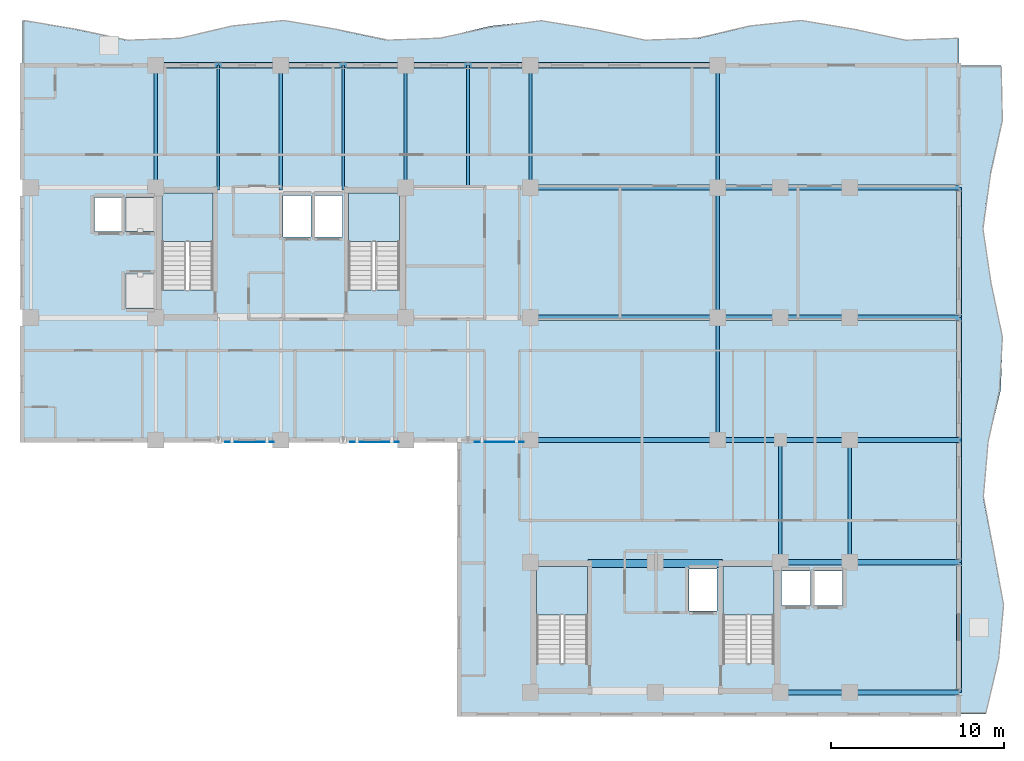
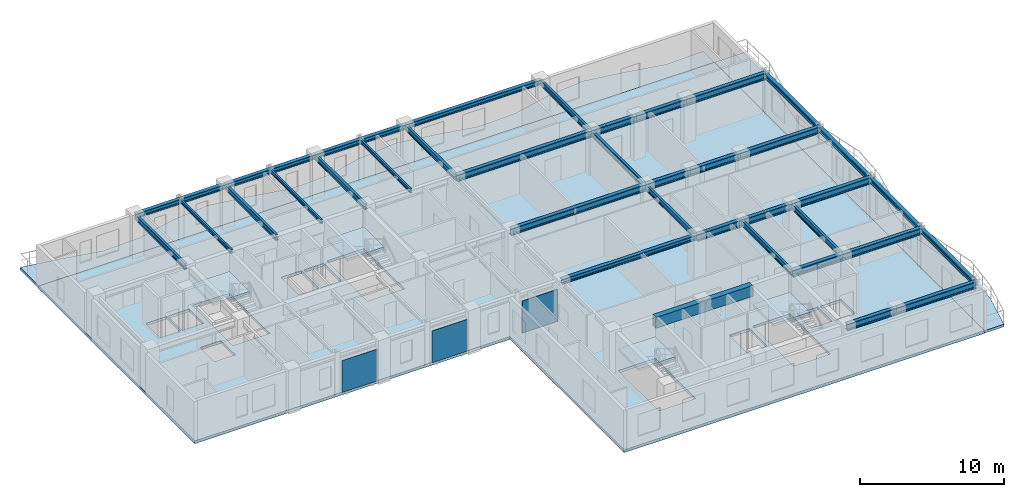
# One storey, part 4 of 14: 40 beams, 7 slabs, 3 plates, 4 elements without a shape of their own.
"""IFC4 building model written with IfcOpenShell, lengths in metres."""

from ifc_helpers import new_model, si_unit, direction, frame, origin, origin_2d, place, context, subcontext, project, spatial, polyline, rectangle, i_section, outline, extrude, source, transform, mapped, material, layer, layer_set, material_profile, profile_set, type_object, element, aggregate, save


model = new_model("IFC4")

# Units and contexts
model_context = context("Model", 3, precision=1e-05, world=origin(), true_north=direction((0.0, 1.0)))
body_context = subcontext(model_context, "Body", "Model", "MODEL_VIEW")
ifc_project = project(units=[si_unit("LENGTHUNIT", "METRE"), si_unit("AREAUNIT", "SQUARE_METRE"), si_unit("VOLUMEUNIT", "CUBIC_METRE"), si_unit("PLANEANGLEUNIT", "RADIAN"), si_unit("MASSUNIT", "GRAM", prefix="KILO")], contexts=[model_context])

# Site, building, storey
site_placement = place(None, origin())
site = spatial("IfcSite", under=ifc_project, at=site_placement, CompositionType="ELEMENT")
building_placement = place(site_placement, origin())
building = spatial("IfcBuilding", under=site, at=building_placement, Name="Kaliganga Portal Commons", CompositionType="ELEMENT")
storey_placement = place(building_placement, frame((0.0, 0.0, 220.300048828125)))
storey = spatial("IfcBuildingStorey", under=building, at=storey_placement, Name="L56", CompositionType="ELEMENT", Elevation=220.300048828125)

# Beams
ifc_material_1 = material(Name="Concrete C50/60", Category="concrete")
ifc_material_profile_1 = material_profile(ifc_material_1, rectangle(XDim=0.449951171875, YDim=0.89990234375, at=origin_2d()), Name="RC 450x900")
ifc_profile_set_1 = profile_set([ifc_material_profile_1], Name="Concrete C50/60")
beam_type_1 = type_object("IfcBeamType", Name="BM-CPL-900", PredefinedType="LINTEL", material=ifc_profile_set_1)
shared_shape_1 = source(origin(), body_context, "Body", "SweptSolid", [
    extrude(rectangle(XDim=0.449951171875, YDim=0.89990234375, at=origin_2d()), origin(), (0.0, 0.0, 1.0), 7.739990234375),
])
beam_1_placement = place(storey_placement, frame((39.330078125, 14.47509765625, 3.02001953125), z_axis=(1.0, 0.0, 0.0), x_axis=(0.0, 1.0, 0.0)))
element("IfcBeam", 1, at=beam_1_placement, inside=storey, type_object=beam_type_1, Name="BM CPL COREB L56 N", PredefinedType="LINTEL", context=body_context, shape_type="MappedRepresentation", body=[
    mapped(shared_shape_1, transform((0.0, 0.0, 0.0), x_axis=(1.0, 0.0, 0.0), y_axis=(0.0, 1.0, 0.0), z_axis=(0.0, 0.0, 1.0), scale=1.0)),
])
ifc_material_2 = material(Name="Structural steel S355J2", Category="steel")
ifc_material_profile_2 = material_profile(ifc_material_2, i_section(OverallWidth=0.18994140625, OverallDepth=0.449951171875, WebThickness=0.009521484375, FlangeThickness=0.0146484375, FilletRadius=0.02099609375, at=origin_2d()), Name="IPE 450")
ifc_profile_set_2 = profile_set([ifc_material_profile_2], Name="Structural steel S355J2 wide-flange")
beam_type_2 = type_object("IfcBeamType", Name="BM-FLR-450", PredefinedType="BEAM", material=ifc_profile_set_2)
shared_shape_2 = source(origin(), body_context, "Body", "SweptSolid", [
    extrude(i_section(OverallWidth=0.18994140625, OverallDepth=0.449951171875, WebThickness=0.009521484375, FlangeThickness=0.0146484375, FilletRadius=0.02099609375, at=origin_2d()), origin(), (0.0, 0.0, 1.0), 7.5),
])
beam_2_placement = place(storey_placement, frame((46.800048828125, 28.64990234375, 3.244873046875), z_axis=(0.0, 1.0, 0.0), x_axis=(-1.0, 0.0, 0.0)))
element("IfcBeam", 2, at=beam_2_placement, inside=storey, type_object=beam_type_2, Name="BM G L56 AM468", PredefinedType="BEAM", context=body_context, shape_type="MappedRepresentation", body=[
    mapped(shared_shape_2, transform((0.0, 0.0, 0.0), x_axis=(1.0, 0.0, 0.0), y_axis=(0.0, 1.0, 0.0), z_axis=(0.0, 0.0, 1.0), scale=1.0)),
])
shared_shape_3 = source(origin(), body_context, "Body", "SweptSolid", [
    extrude(i_section(OverallWidth=0.18994140625, OverallDepth=0.449951171875, WebThickness=0.009521484375, FlangeThickness=0.0146484375, FilletRadius=0.02099609375, at=origin_2d()), origin(), (0.0, 0.0, 1.0), 7.050048828125),
])
for number, where, z_axis, x_axis, name in (
    (3, (14.39990234375, 36.14990234375, 3.244873046875), (0.0, 1.0, 0.0), (-1.0, 0.0, 0.0), "BM G L56 AN144"),
    (4, (28.800048828125, 36.14990234375, 3.244873046875), (0.0, 1.0, 0.0), (-1.0, 0.0, 0.0), "BM G L56 AN288"),
    (5, (36.0, 36.14990234375, 3.244873046875), (0.0, 1.0, 0.0), (-1.0, 0.0, 0.0), "BM G L56 AN360"),
    (6, (46.800048828125, 36.14990234375, 3.244873046875), (0.0, 1.0, 0.0), (-1.0, 0.0, 0.0), "BM G L56 AN468"),
    (7, (50.39990234375, 14.550048828125, 3.244873046875), (0.0, 1.0, 0.0), (-1.0, 0.0, 0.0), "BM G L56 BNK504"),
    (8, (54.39990234375, 14.550048828125, 3.244873046875), (0.0, 1.0, 0.0), (-1.0, 0.0, 0.0), "BM G L56 BNK544"),
):
    element("IfcBeam", number, at=place(storey_placement, frame(where, z_axis=z_axis, x_axis=x_axis)), inside=storey, type_object=beam_type_2, Name=name, PredefinedType="BEAM", context=body_context, shape_type="MappedRepresentation", body=[
        mapped(shared_shape_3, transform((0.0, 0.0, 0.0), x_axis=(1.0, 0.0, 0.0), y_axis=(0.0, 1.0, 0.0), z_axis=(0.0, 0.0, 1.0), scale=1.0)),
    ])
shared_shape_4 = source(origin(), body_context, "Body", "SweptSolid", [
    extrude(i_section(OverallWidth=0.18994140625, OverallDepth=0.449951171875, WebThickness=0.009521484375, FlangeThickness=0.0146484375, FilletRadius=0.02099609375, at=origin_2d()), origin(), (0.0, 0.0, 1.0), 7.0498046875),
])
beam_3_placement = place(storey_placement, frame((46.800048828125, 21.60009765625, 3.244873046875), z_axis=(0.0, 1.0, 0.0), x_axis=(-1.0, 0.0, 0.0)))
element("IfcBeam", 9, at=beam_3_placement, inside=storey, type_object=beam_type_2, Name="BM G L56 AS468", PredefinedType="BEAM", context=body_context, shape_type="MappedRepresentation", body=[
    mapped(shared_shape_4, transform((0.0, 0.0, 0.0), x_axis=(1.0, 0.0, 0.0), y_axis=(0.0, 1.0, 0.0), z_axis=(0.0, 0.0, 1.0), scale=1.0)),
])
ifc_material_profile_3 = material_profile(ifc_material_2, i_section(OverallWidth=0.14990234375, OverallDepth=0.300048828125, WebThickness=0.007080078125, FlangeThickness=0.0107421875, FilletRadius=0.014892578125, at=origin_2d()), Name="IPE 300")
ifc_profile_set_3 = profile_set([ifc_material_profile_3], Name="Structural steel S355J2 wide-flange")
beam_type_3 = type_object("IfcBeamType", Name="BM-JST-300", PredefinedType="JOIST", material=ifc_profile_set_3)
shared_shape_5 = source(origin(), body_context, "Body", "SweptSolid", [
    extrude(i_section(OverallWidth=0.14990234375, OverallDepth=0.300048828125, WebThickness=0.007080078125, FlangeThickness=0.0107421875, FilletRadius=0.014892578125, at=origin_2d()), origin(), (0.0, 0.0, 1.0), 7.050048828125),
])
beam_4_placement = place(storey_placement, frame((32.39990234375, 36.14990234375, 3.320068359375), z_axis=(0.0, 1.0, 0.0), x_axis=(-1.0, 0.0, 0.0)))
element("IfcBeam", 10, at=beam_4_placement, inside=storey, type_object=beam_type_3, Name="BM G L56 AN324", PredefinedType="JOIST", context=body_context, shape_type="MappedRepresentation", body=[
    mapped(shared_shape_5, transform((0.0, 0.0, 0.0), x_axis=(1.0, 0.0, 0.0), y_axis=(0.0, 1.0, 0.0), z_axis=(0.0, 0.0, 1.0), scale=1.0)),
])
ifc_material_profile_4 = material_profile(ifc_material_2, i_section(OverallWidth=0.300048828125, OverallDepth=0.39990234375, WebThickness=0.013427734375, FlangeThickness=0.02392578125, FilletRadius=0.027099609375, at=origin_2d()), Name="HE 400 B")
ifc_profile_set_4 = profile_set([ifc_material_profile_4], Name="Structural steel S355J2 wide-flange")
beam_type_4 = type_object("IfcBeamType", Name="BM-SPAND-400", PredefinedType="SPANDREL", material=ifc_profile_set_4)
shared_shape_6 = source(origin(), body_context, "Body", "SweptSolid", [
    extrude(i_section(OverallWidth=0.300048828125, OverallDepth=0.39990234375, WebThickness=0.013427734375, FlangeThickness=0.02392578125, FilletRadius=0.027099609375, at=origin_2d()), origin(), (0.0, 0.0, 1.0), 3.60009765625),
])
for number, where, z_axis, x_axis, name in (
    (11, (14.39990234375, 43.199951171875, 3.27001953125), (1.0, 0.0, 0.0), (0.0, 1.0, 0.0), "BM SP L56 AN 1"),
    (12, (18.0, 43.199951171875, 3.27001953125), (1.0, 0.0, 0.0), (0.0, 1.0, 0.0), "BM SP L56 AN 2"),
    (13, (25.199951171875, 43.199951171875, 3.27001953125), (1.0, 0.0, 0.0), (0.0, 1.0, 0.0), "BM SP L56 AN 4"),
    (14, (32.39990234375, 43.199951171875, 3.27001953125), (1.0, 0.0, 0.0), (0.0, 1.0, 0.0), "BM SP L56 AN 6"),
):
    element("IfcBeam", number, at=place(storey_placement, frame(where, z_axis=z_axis, x_axis=x_axis)), inside=storey, type_object=beam_type_4, Name=name, PredefinedType="SPANDREL", context=body_context, shape_type="MappedRepresentation", body=[
        mapped(shared_shape_6, transform((0.0, 0.0, 0.0), x_axis=(1.0, 0.0, 0.0), y_axis=(0.0, 1.0, 0.0), z_axis=(0.0, 0.0, 1.0), scale=1.0)),
    ])
shared_shape_7 = source(origin(), body_context, "Body", "SweptSolid", [
    extrude(i_section(OverallWidth=0.300048828125, OverallDepth=0.39990234375, WebThickness=0.013427734375, FlangeThickness=0.02392578125, FilletRadius=0.027099609375, at=origin_2d()), origin(), (0.0, 0.0, 1.0), 3.599853515625),
])
for number, where, z_axis, x_axis, name in (
    (15, (21.60009765625, 43.199951171875, 3.27001953125), (1.0, 0.0, 0.0), (0.0, 1.0, 0.0), "BM SP L56 AN 3"),
    (16, (28.800048828125, 43.199951171875, 3.27001953125), (1.0, 0.0, 0.0), (0.0, 1.0, 0.0), "BM SP L56 AN 5"),
):
    element("IfcBeam", number, at=place(storey_placement, frame(where, z_axis=z_axis, x_axis=x_axis)), inside=storey, type_object=beam_type_4, Name=name, PredefinedType="SPANDREL", context=body_context, shape_type="MappedRepresentation", body=[
        mapped(shared_shape_7, transform((0.0, 0.0, 0.0), x_axis=(1.0, 0.0, 0.0), y_axis=(0.0, 1.0, 0.0), z_axis=(0.0, 0.0, 1.0), scale=1.0)),
    ])
shared_shape_8 = source(origin(), body_context, "Body", "SweptSolid", [
    extrude(i_section(OverallWidth=0.300048828125, OverallDepth=0.39990234375, WebThickness=0.013427734375, FlangeThickness=0.02392578125, FilletRadius=0.027099609375, at=origin_2d()), origin(), (0.0, 0.0, 1.0), 10.800048828125),
])
for number, where, z_axis, x_axis, name in (
    (17, (36.0, 43.199951171875, 3.27001953125), (1.0, 0.0, 0.0), (0.0, 1.0, 0.0), "BM SP L56 AN 7"),
    (18, (36.0, 21.60009765625, 3.27001953125), (1.0, 0.0, 0.0), (0.0, 1.0, 0.0), "BM SP L56 AS 7"),
):
    element("IfcBeam", number, at=place(storey_placement, frame(where, z_axis=z_axis, x_axis=x_axis)), inside=storey, type_object=beam_type_4, Name=name, PredefinedType="SPANDREL", context=body_context, shape_type="MappedRepresentation", body=[
        mapped(shared_shape_8, transform((0.0, 0.0, 0.0), x_axis=(1.0, 0.0, 0.0), y_axis=(0.0, 1.0, 0.0), z_axis=(0.0, 0.0, 1.0), scale=1.0)),
    ])
ifc_material_profile_5 = material_profile(ifc_material_2, i_section(OverallWidth=0.300048828125, OverallDepth=0.550048828125, WebThickness=0.014892578125, FlangeThickness=0.029052734375, FilletRadius=0.027099609375, at=origin_2d()), Name="HE 550 B")
ifc_profile_set_5 = profile_set([ifc_material_profile_5], Name="Structural steel S355J2 wide-flange")
beam_type_5 = type_object("IfcBeamType", Name="BM-GIRD-550", PredefinedType="USERDEFINED", material=ifc_profile_set_5)
shared_shape_9 = source(origin(), body_context, "Body", "SweptSolid", [
    extrude(i_section(OverallWidth=0.300048828125, OverallDepth=0.550048828125, WebThickness=0.014892578125, FlangeThickness=0.029052734375, FilletRadius=0.027099609375, at=origin_2d()), origin(), (0.0, 0.0, 1.0), 10.800048828125),
])
for number, where, z_axis, x_axis, name in (
    (19, (36.0, 28.64990234375, 3.195068359375), (1.0, 0.0, 0.0), (0.0, 1.0, 0.0), "BM G L56 WAE_S 2"),
    (20, (36.0, 36.14990234375, 3.195068359375), (1.0, 0.0, 0.0), (0.0, 1.0, 0.0), "BM G L56 WAE_N 2"),
):
    element("IfcBeam", number, at=place(storey_placement, frame(where, z_axis=z_axis, x_axis=x_axis)), inside=storey, type_object=beam_type_5, Name=name, ObjectType="GIRDER", PredefinedType="USERDEFINED", context=body_context, shape_type="MappedRepresentation", body=[
        mapped(shared_shape_9, transform((0.0, 0.0, 0.0), x_axis=(1.0, 0.0, 0.0), y_axis=(0.0, 1.0, 0.0), z_axis=(0.0, 0.0, 1.0), scale=1.0)),
    ])
shared_shape_10 = source(origin(), body_context, "Body", "SweptSolid", [
    extrude(i_section(OverallWidth=0.14990234375, OverallDepth=0.300048828125, WebThickness=0.007080078125, FlangeThickness=0.0107421875, FilletRadius=0.014892578125, at=origin_2d()), origin(), (0.0, 0.0, 1.0), 7.175048828125),
])
for number, where, z_axis, x_axis, name in (
    (21, (18.0, 36.02490234375, 3.320068359375), (0.0, 1.0, 0.0), (-1.0, 0.0, 0.0), "BM G L56 AN180"),
    (22, (25.199951171875, 36.02490234375, 3.320068359375), (0.0, 1.0, 0.0), (-1.0, 0.0, 0.0), "BM G L56 AN252"),
):
    element("IfcBeam", number, at=place(storey_placement, frame(where, z_axis=z_axis, x_axis=x_axis)), inside=storey, type_object=beam_type_3, Name=name, PredefinedType="JOIST", context=body_context, shape_type="MappedRepresentation", body=[
        mapped(shared_shape_10, transform((0.0, 0.0, 0.0), x_axis=(1.0, 0.0, 0.0), y_axis=(0.0, 1.0, 0.0), z_axis=(0.0, 0.0, 1.0), scale=1.0)),
    ])
shared_shape_11 = source(origin(), body_context, "Body", "SweptSolid", [
    extrude(i_section(OverallWidth=0.18994140625, OverallDepth=0.449951171875, WebThickness=0.009521484375, FlangeThickness=0.0146484375, FilletRadius=0.02099609375, at=origin_2d()), origin(), (0.0, 0.0, 1.0), 7.175048828125),
])
beam_5_placement = place(storey_placement, frame((21.60009765625, 36.02490234375, 3.244873046875), z_axis=(0.0, 1.0, 0.0), x_axis=(-1.0, 0.0, 0.0)))
element("IfcBeam", 23, at=beam_5_placement, inside=storey, type_object=beam_type_2, Name="BM G L56 AN216", PredefinedType="BEAM", context=body_context, shape_type="MappedRepresentation", body=[
    mapped(shared_shape_11, transform((0.0, 0.0, 0.0), x_axis=(1.0, 0.0, 0.0), y_axis=(0.0, 1.0, 0.0), z_axis=(0.0, 0.0, 1.0), scale=1.0)),
])
shared_shape_12 = source(origin(), body_context, "Body", "SweptSolid", [
    extrude(i_section(OverallWidth=0.300048828125, OverallDepth=0.550048828125, WebThickness=0.014892578125, FlangeThickness=0.029052734375, FilletRadius=0.027099609375, at=origin_2d()), origin(), (0.0, 0.0, 1.0), 4.0),
])
for number, where, z_axis, x_axis, name in (
    (24, (50.39990234375, 7.050048828125, 3.195068359375), (1.0, 0.0, 0.0), (0.0, 1.0, 0.0), "BM G L56 BKE70 1"),
    (25, (50.39990234375, 14.550048828125, 3.195068359375), (1.0, 0.0, 0.0), (0.0, 1.0, 0.0), "BM G L56 BKE146 1"),
    (26, (50.39990234375, 21.60009765625, 3.195068359375), (1.0, 0.0, 0.0), (0.0, 1.0, 0.0), "BM G L56 BKE216 2"),
    (27, (50.39990234375, 28.64990234375, 3.195068359375), (1.0, 0.0, 0.0), (0.0, 1.0, 0.0), "BM G L56 BKE286 2"),
    (28, (50.39990234375, 36.14990234375, 3.195068359375), (1.0, 0.0, 0.0), (0.0, 1.0, 0.0), "BM G L56 BKE362 2"),
):
    element("IfcBeam", number, at=place(storey_placement, frame(where, z_axis=z_axis, x_axis=x_axis)), inside=storey, type_object=beam_type_5, Name=name, ObjectType="GIRDER", PredefinedType="USERDEFINED", context=body_context, shape_type="MappedRepresentation", body=[
        mapped(shared_shape_12, transform((0.0, 0.0, 0.0), x_axis=(1.0, 0.0, 0.0), y_axis=(0.0, 1.0, 0.0), z_axis=(0.0, 0.0, 1.0), scale=1.0)),
    ])
shared_shape_13 = source(origin(), body_context, "Body", "SweptSolid", [
    extrude(i_section(OverallWidth=0.300048828125, OverallDepth=0.550048828125, WebThickness=0.014892578125, FlangeThickness=0.029052734375, FilletRadius=0.027099609375, at=origin_2d()), origin(), (0.0, 0.0, 1.0), 6.300048828125),
])
for number, where, z_axis, x_axis, name in (
    (29, (54.39990234375, 7.050048828125, 3.195068359375), (1.0, 0.0, 0.0), (0.0, 1.0, 0.0), "BM G L56 BKE70 2"),
    (30, (54.39990234375, 14.550048828125, 3.195068359375), (1.0, 0.0, 0.0), (0.0, 1.0, 0.0), "BM G L56 BKE146 2"),
    (31, (54.39990234375, 21.60009765625, 3.195068359375), (1.0, 0.0, 0.0), (0.0, 1.0, 0.0), "BM G L56 BKE216 3"),
    (32, (54.39990234375, 28.64990234375, 3.195068359375), (1.0, 0.0, 0.0), (0.0, 1.0, 0.0), "BM G L56 BKE286 3"),
    (33, (54.39990234375, 36.14990234375, 3.195068359375), (1.0, 0.0, 0.0), (0.0, 1.0, 0.0), "BM G L56 BKE362 3"),
):
    element("IfcBeam", number, at=place(storey_placement, frame(where, z_axis=z_axis, x_axis=x_axis)), inside=storey, type_object=beam_type_5, Name=name, ObjectType="GIRDER", PredefinedType="USERDEFINED", context=body_context, shape_type="MappedRepresentation", body=[
        mapped(shared_shape_13, transform((0.0, 0.0, 0.0), x_axis=(1.0, 0.0, 0.0), y_axis=(0.0, 1.0, 0.0), z_axis=(0.0, 0.0, 1.0), scale=1.0)),
    ])
shared_shape_14 = source(origin(), body_context, "Body", "SweptSolid", [
    extrude(i_section(OverallWidth=0.300048828125, OverallDepth=0.550048828125, WebThickness=0.014892578125, FlangeThickness=0.029052734375, FilletRadius=0.027099609375, at=origin_2d()), origin(), (0.0, 0.0, 1.0), 3.599853515625),
])
for number, where, z_axis, x_axis, name in (
    (34, (46.800048828125, 21.60009765625, 3.195068359375), (1.0, 0.0, 0.0), (0.0, 1.0, 0.0), "BM G L56 BKE216 1"),
    (35, (46.800048828125, 28.64990234375, 3.195068359375), (1.0, 0.0, 0.0), (0.0, 1.0, 0.0), "BM G L56 BKE286 1"),
    (36, (46.800048828125, 36.14990234375, 3.195068359375), (1.0, 0.0, 0.0), (0.0, 1.0, 0.0), "BM G L56 BKE362 1"),
):
    element("IfcBeam", number, at=place(storey_placement, frame(where, z_axis=z_axis, x_axis=x_axis)), inside=storey, type_object=beam_type_5, Name=name, ObjectType="GIRDER", PredefinedType="USERDEFINED", context=body_context, shape_type="MappedRepresentation", body=[
        mapped(shared_shape_14, transform((0.0, 0.0, 0.0), x_axis=(1.0, 0.0, 0.0), y_axis=(0.0, 1.0, 0.0), z_axis=(0.0, 0.0, 1.0), scale=1.0)),
    ])
shared_shape_15 = source(origin(), body_context, "Body", "SweptSolid", [
    extrude(i_section(OverallWidth=0.300048828125, OverallDepth=0.39990234375, WebThickness=0.013427734375, FlangeThickness=0.02392578125, FilletRadius=0.027099609375, at=origin_2d()), origin(), (0.0, 0.0, 1.0), 7.5),
])
for number, where, z_axis, x_axis, name in (
    (37, (60.699951171875, 7.050048828125, 3.27001953125), (0.0, 1.0, 0.0), (-1.0, 0.0, 0.0), "BM SP L56 BE 1"),
    (38, (60.699951171875, 28.64990234375, 3.27001953125), (0.0, 1.0, 0.0), (-1.0, 0.0, 0.0), "BM SP L56 BE 4"),
):
    element("IfcBeam", number, at=place(storey_placement, frame(where, z_axis=z_axis, x_axis=x_axis)), inside=storey, type_object=beam_type_4, Name=name, PredefinedType="SPANDREL", context=body_context, shape_type="MappedRepresentation", body=[
        mapped(shared_shape_15, transform((0.0, 0.0, 0.0), x_axis=(1.0, 0.0, 0.0), y_axis=(0.0, 1.0, 0.0), z_axis=(0.0, 0.0, 1.0), scale=1.0)),
    ])
shared_shape_16 = source(origin(), body_context, "Body", "SweptSolid", [
    extrude(i_section(OverallWidth=0.300048828125, OverallDepth=0.39990234375, WebThickness=0.013427734375, FlangeThickness=0.02392578125, FilletRadius=0.027099609375, at=origin_2d()), origin(), (0.0, 0.0, 1.0), 7.050048828125),
])
beam_6_placement = place(storey_placement, frame((60.699951171875, 14.550048828125, 3.27001953125), z_axis=(0.0, 1.0, 0.0), x_axis=(-1.0, 0.0, 0.0)))
element("IfcBeam", 39, at=beam_6_placement, inside=storey, type_object=beam_type_4, Name="BM SP L56 BE 2", PredefinedType="SPANDREL", context=body_context, shape_type="MappedRepresentation", body=[
    mapped(shared_shape_16, transform((0.0, 0.0, 0.0), x_axis=(1.0, 0.0, 0.0), y_axis=(0.0, 1.0, 0.0), z_axis=(0.0, 0.0, 1.0), scale=1.0)),
])
shared_shape_17 = source(origin(), body_context, "Body", "SweptSolid", [
    extrude(i_section(OverallWidth=0.300048828125, OverallDepth=0.39990234375, WebThickness=0.013427734375, FlangeThickness=0.02392578125, FilletRadius=0.027099609375, at=origin_2d()), origin(), (0.0, 0.0, 1.0), 7.0498046875),
])
beam_7_placement = place(storey_placement, frame((60.699951171875, 21.60009765625, 3.27001953125), z_axis=(0.0, 1.0, 0.0), x_axis=(-1.0, 0.0, 0.0)))
element("IfcBeam", 40, at=beam_7_placement, inside=storey, type_object=beam_type_4, Name="BM SP L56 BE 3", PredefinedType="SPANDREL", context=body_context, shape_type="MappedRepresentation", body=[
    mapped(shared_shape_17, transform((0.0, 0.0, 0.0), x_axis=(1.0, 0.0, 0.0), y_axis=(0.0, 1.0, 0.0), z_axis=(0.0, 0.0, 1.0), scale=1.0)),
])

# Slabs
ifc_material_3 = material(Name="Concrete C40/50", Category="concrete")
ifc_layer_1 = layer(ifc_material_3, 0.2099609375)
ifc_layer_set_1 = layer_set([ifc_layer_1], Name="Concrete C40/50")
slab_type_1 = type_object("IfcSlabType", Name="SLB-BALC-210", PredefinedType="FLOOR", material=ifc_layer_set_1)
slab_1_placement = place(storey_placement, frame((0.0, 0.0, -0.2099609375)))
element("IfcSlab", 41, at=slab_1_placement, inside=storey, type_object=slab_type_1, Name="Scalloped Tree-Planter Balcony Slab L56 balc_north", PredefinedType="FLOOR", context=body_context, shape_type="SweptSolid", body=[
    extrude(outline(polyline([(60.699951171875, 43.199951171875), (60.699951171875, 44.760498046875), (57.699951171875, 44.6484375), (54.699951171875, 45.286376953125), (51.699951171875, 45.79248046875), (48.699951171875, 45.467529296875), (45.699951171875, 44.760498046875), (42.699951171875, 44.6484375), (39.699951171875, 45.286376953125), (36.699951171875, 45.79248046875), (33.699951171875, 45.467529296875), (30.699951171875, 44.760498046875), (27.699951171875, 44.6484375), (24.699951171875, 45.286376953125), (21.699951171875, 45.79248046875), (18.699951171875, 45.467529296875), (15.699951171875, 44.760498046875), (12.699951171875, 44.6484375), (9.699951171875, 45.286376953125), (6.699951171875, 45.79248046875), (6.699951171875, 43.199951171875), (60.699951171875, 43.199951171875)])), origin(), (0.0, 0.0, 1.0), 0.2099609375),
])
slab_2_placement = place(storey_placement, frame((0.0, 0.0, -0.2099609375)))
element("IfcSlab", 42, at=slab_2_placement, inside=storey, type_object=slab_type_1, Name="Scalloped Tree-Planter Balcony Slab L56 balc_east", PredefinedType="FLOOR", context=body_context, shape_type="SweptSolid", body=[
    extrude(outline(polyline([(60.699951171875, 5.800048828125), (62.260498046875, 5.800048828125), (62.99365234375, 8.916748046875), (63.2802734375, 12.033203125), (62.697509765625, 15.14990234375), (62.10498046875, 18.2666015625), (62.377197265625, 21.38330078125), (63.112548828125, 24.5), (63.2255859375, 27.61669921875), (62.5498046875, 30.7333984375), (62.082275390625, 33.85009765625), (62.512939453125, 36.966796875), (63.206298828125, 40.083251953125), (63.139404296875, 43.199951171875), (60.699951171875, 43.199951171875), (60.699951171875, 5.800048828125)])), origin(), (0.0, 0.0, 1.0), 0.2099609375),
])

# Stair, slab
stair_type = type_object("IfcStairType", Name="ST-CORE-DOGLEG", PredefinedType="HALF_TURN_STAIR", material=ifc_material_3)
stair_1_placement = place(storey_placement, origin())
stair_1 = element("IfcStair", 43, at=stair_1_placement, inside=storey, type_object=stair_type, Name="L56 Protected Exit Stair ST-A1", PredefinedType="HALF_TURN_STAIR")
ifc_layer_2 = layer(ifc_material_3, 0.199951171875)
ifc_layer_set_2 = layer_set([ifc_layer_2], Name="Concrete C40/50")
slab_type_2 = type_object("IfcSlabType", Name="SLB-STAIR-LND", PredefinedType="LANDING", material=ifc_layer_set_2)
slab_3_placement = place(storey_placement, frame((0.0, 0.0, 1.64990234375)))
slab_3 = element("IfcSlab", 44, at=slab_3_placement, type_object=slab_type_2, Name="ST-A1 landing 1", PredefinedType="LANDING", context=body_context, shape_type="SweptSolid", body=[
    extrude(outline(polyline([(17.699951171875, 33.050048828125), (17.699951171875, 35.85009765625), (14.75, 35.85009765625), (14.75, 33.050048828125), (17.699951171875, 33.050048828125)])), origin(), (0.0, 0.0, 1.0), 0.199951171875),
])
aggregate(stair_1, [slab_3])

stair_2_placement = place(storey_placement, origin())
stair_2 = element("IfcStair", 45, at=stair_2_placement, inside=storey, type_object=stair_type, Name="L56 Protected Exit Stair ST-A2", PredefinedType="HALF_TURN_STAIR")
slab_4_placement = place(storey_placement, frame((0.0, 0.0, 1.64990234375)))
slab_4 = element("IfcSlab", 46, at=slab_4_placement, type_object=slab_type_2, Name="ST-A2 landing 1", PredefinedType="LANDING", context=body_context, shape_type="SweptSolid", body=[
    extrude(outline(polyline([(28.449951171875, 33.050048828125), (28.449951171875, 35.85009765625), (25.5, 35.85009765625), (25.5, 33.050048828125), (28.449951171875, 33.050048828125)])), origin(), (0.0, 0.0, 1.0), 0.199951171875),
])
aggregate(stair_2, [slab_4])

stair_3_placement = place(storey_placement, origin())
stair_3 = element("IfcStair", 47, at=stair_3_placement, inside=storey, type_object=stair_type, Name="L56 Protected Exit Stair ST-B1", PredefinedType="HALF_TURN_STAIR")
slab_5_placement = place(storey_placement, frame((0.0, 0.0, 1.64990234375)))
slab_5 = element("IfcSlab", 48, at=slab_5_placement, type_object=slab_type_2, Name="ST-B1 landing 1", PredefinedType="LANDING", context=body_context, shape_type="SweptSolid", body=[
    extrude(outline(polyline([(39.300048828125, 11.5), (39.300048828125, 14.300048828125), (36.35009765625, 14.300048828125), (36.35009765625, 11.5), (39.300048828125, 11.5)])), origin(), (0.0, 0.0, 1.0), 0.199951171875),
])
aggregate(stair_3, [slab_5])

stair_4_placement = place(storey_placement, origin())
stair_4 = element("IfcStair", 49, at=stair_4_placement, inside=storey, type_object=stair_type, Name="L56 Protected Exit Stair ST-B2", PredefinedType="HALF_TURN_STAIR")
slab_6_placement = place(storey_placement, frame((0.0, 0.0, 1.64990234375)))
slab_6 = element("IfcSlab", 50, at=slab_6_placement, type_object=slab_type_2, Name="ST-B2 landing 1", PredefinedType="LANDING", context=body_context, shape_type="SweptSolid", body=[
    extrude(outline(polyline([(50.050048828125, 11.5), (50.050048828125, 14.300048828125), (47.10009765625, 14.300048828125), (47.10009765625, 11.5), (50.050048828125, 11.5)])), origin(), (0.0, 0.0, 1.0), 0.199951171875),
])
aggregate(stair_4, [slab_6])

# Slab
ifc_layer_3 = layer(ifc_material_3, 0.22998046875)
ifc_layer_set_3 = layer_set([ifc_layer_3], Name="Concrete C40/50")
slab_type_3 = type_object("IfcSlabType", Name="SLB-TWR-230", PredefinedType="FLOOR", material=ifc_layer_set_3)
slab_7_placement = place(storey_placement, frame((0.0, 0.0, -0.22998046875)))
element("IfcSlab", 51, at=slab_7_placement, inside=storey, type_object=slab_type_3, Name="Structural Floor Slab L56", PredefinedType="FLOOR", context=body_context, shape_type="SweptSolid", body=[
    extrude(outline(polyline([(31.89990234375, 5.800048828125), (60.699951171875, 5.800048828125), (60.699951171875, 43.199951171875), (6.699951171875, 43.199951171875), (6.699951171875, 21.60009765625), (31.89990234375, 21.60009765625), (31.89990234375, 5.800048828125)]), holes=[polyline([(14.75, 30.25390625), (14.75, 35.85009765625), (17.699951171875, 35.85009765625), (17.699951171875, 30.25390625), (14.75, 30.25390625)]), polyline([(25.5, 30.25390625), (25.5, 35.85009765625), (28.449951171875, 35.85009765625), (28.449951171875, 30.25390625), (25.5, 30.25390625)]), polyline([(36.35009765625, 8.7041015625), (36.35009765625, 14.300048828125), (39.300048828125, 14.300048828125), (39.300048828125, 8.7041015625), (36.35009765625, 8.7041015625)]), polyline([(47.10009765625, 8.7041015625), (47.10009765625, 14.300048828125), (50.050048828125, 14.300048828125), (50.050048828125, 8.7041015625), (47.10009765625, 8.7041015625)]), polyline([(12.6650390625, 33.614990234375), (12.6650390625, 35.5849609375), (14.3349609375, 35.5849609375), (14.3349609375, 33.614990234375), (12.6650390625, 33.614990234375)]), polyline([(12.6650390625, 29.215087890625), (12.6650390625, 31.18505859375), (14.3349609375, 31.18505859375), (14.3349609375, 29.215087890625), (12.6650390625, 29.215087890625)]), polyline([(10.864990234375, 33.614990234375), (10.864990234375, 35.5849609375), (12.534912109375, 35.5849609375), (12.534912109375, 33.614990234375), (10.864990234375, 33.614990234375)]), polyline([(21.739990234375, 33.2900390625), (21.739990234375, 35.7099609375), (23.360107421875, 35.7099609375), (23.360107421875, 33.2900390625), (21.739990234375, 33.2900390625)]), polyline([(23.5400390625, 33.2900390625), (23.5400390625, 35.7099609375), (25.159912109375, 35.7099609375), (25.159912109375, 33.2900390625), (23.5400390625, 33.2900390625)]), polyline([(50.465087890625, 12.06494140625), (50.465087890625, 14.034912109375), (52.135009765625, 14.034912109375), (52.135009765625, 12.06494140625), (50.465087890625, 12.06494140625)]), polyline([(52.31494140625, 12.06494140625), (52.31494140625, 14.034912109375), (53.985107421875, 14.034912109375), (53.985107421875, 12.06494140625), (52.31494140625, 12.06494140625)]), polyline([(45.139892578125, 11.739990234375), (45.139892578125, 14.159912109375), (46.760009765625, 14.159912109375), (46.760009765625, 11.739990234375), (45.139892578125, 11.739990234375)])]), origin(), (0.0, 0.0, 1.0), 0.22998046875),
])

# Plates
ifc_material_4 = material(Name="Perforated Terracotta Monsoon Baguette Screen", Category="masonry")
ifc_layer_4 = layer(ifc_material_4, 0.034912109375)
ifc_layer_set_4 = layer_set([ifc_layer_4], Name="Perforated Terracotta Monsoon Baguette Screen")
plate_type = type_object("IfcPlateType", Name="PLT-CER-35", PredefinedType="USERDEFINED", material=ifc_layer_set_4)
shared_shape_18 = source(origin(), body_context, "Body", "SweptSolid", [
    extrude(rectangle(XDim=2.800048828125, YDim=0.034912109375, at=origin_2d()), origin(), (0.0, 0.0, 1.0), 2.68994140625),
])
for number, where, z_axis, x_axis, name in (
    (52, (19.800048828125, 21.47998046875, 0.080078125), (0.0, 0.0, 1.0), (1.0, 0.0, 0.0), "Perforated Solar Screen L56-S1"),
    (53, (27.0, 21.47998046875, 0.080078125), (0.0, 0.0, 1.0), (1.0, 0.0, 0.0), "Perforated Solar Screen L56-S2"),
    (54, (34.199951171875, 21.47998046875, 0.080078125), (0.0, 0.0, 1.0), (1.0, 0.0, 0.0), "Perforated Solar Screen L56-S3"),
):
    element("IfcPlate", number, at=place(storey_placement, frame(where, z_axis=z_axis, x_axis=x_axis)), inside=storey, type_object=plate_type, Name=name, ObjectType="SOLAR SCREEN", PredefinedType="USERDEFINED", context=body_context, shape_type="MappedRepresentation", body=[
        mapped(shared_shape_18, transform((0.0, 0.0, 0.0), x_axis=(1.0, 0.0, 0.0), y_axis=(0.0, 1.0, 0.0), z_axis=(0.0, 0.0, 1.0), scale=1.0)),
    ])

save(model, "model.ifc")
